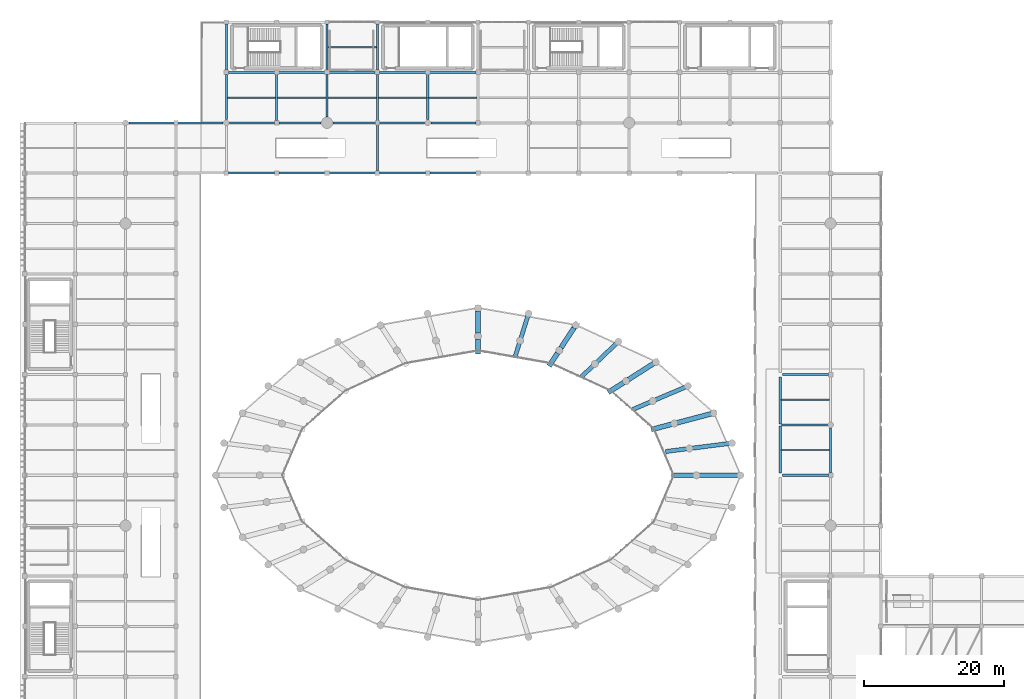
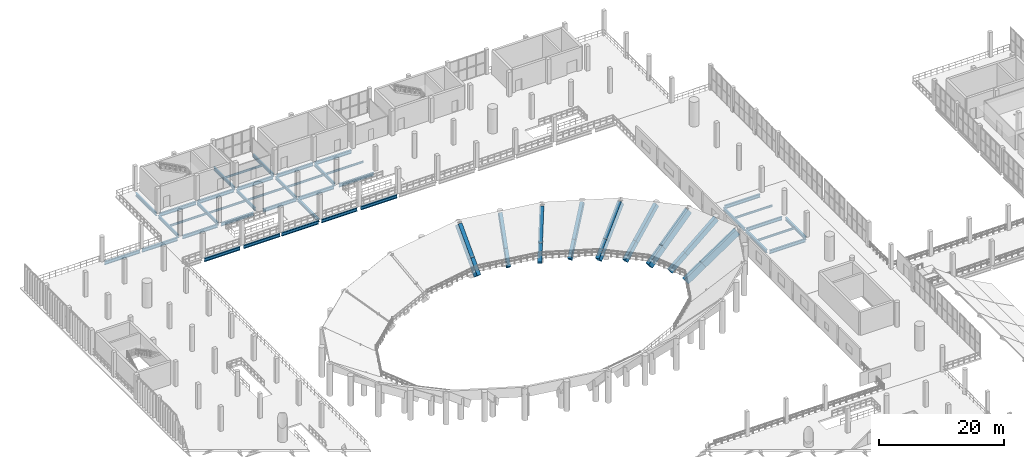
# One storey, part 46 of 105: 58 beams.
"""IFC4 building model written with IfcOpenShell, lengths in metres."""

import ifcopenshell
import ifcopenshell.guid

model = None  # the IFC model being written
_history = None  # IfcOwnerHistory: only IFC2X3 demands one
_inside = {}  # id of a spatial element -> (the spatial element, [elements in it])
_under = {}  # id of a project, library or spatial element -> (it, [spatial elements below it])
_declared = {}  # id of a project -> (the project, [libraries it declares])
_typed = {}  # id of a type object -> (the type object, [elements of that type])
_made_of = {}  # id of a material, layer set ... -> (it, [elements and type objects made of it])


def new_model(schema):
    """Start an empty IFC model of exactly this schema.

    Asked for "IFC4X3", IfcOpenShell would pick the latest addendum, in which some entities
    have other attributes; the version numbers below select the first issue.
    IFC2X3 requires an IfcOwnerHistory on every rooted entity: one is made here for all.
    """
    global model, _history
    if schema == "IFC4X3":
        model = ifcopenshell.file(schema_version=(4, 3, 0, 0))
    else:
        model = ifcopenshell.file(schema=schema)
    _inside.clear()
    _under.clear()
    _declared.clear()
    _typed.clear()
    _made_of.clear()
    _history = None
    if model.schema == "IFC2X3":
        org = make("IfcOrganization", Name="unknown")
        user = make(
            "IfcPersonAndOrganization",
            ThePerson=make("IfcPerson", FamilyName="unknown"),
            TheOrganization=org,
        )
        app = make(
            "IfcApplication",
            ApplicationDeveloper=org,
            Version="unknown",
            ApplicationFullName="unknown",
            ApplicationIdentifier="unknown",
        )
        _history = make(
            "IfcOwnerHistory",
            OwningUser=user,
            OwningApplication=app,
            ChangeAction="ADDED",
            CreationDate=0,
        )
    return model


def make(cls, **values):
    """One entity of the class cls with the attributes given. An attribute that is None is left unset."""
    return model.create_entity(
        cls, **{name: value for name, value in values.items() if value is not None}
    )


def rooted(cls, **values):
    """An entity with a GlobalId (a new one), such as an element, a storey or a relation."""
    return make(cls, GlobalId=ifcopenshell.guid.new(), OwnerHistory=_history, **values)


def si_unit(unit_type, name, prefix=None):
    """IfcSIUnit, for example si_unit("LENGTHUNIT", "METRE", prefix="MILLI")."""
    return make("IfcSIUnit", UnitType=unit_type, Prefix=prefix, Name=name)


def assignment(units):
    """IfcUnitAssignment: the units of a project."""
    return None if units is None else make("IfcUnitAssignment", Units=units)


def point(xyz):
    """IfcCartesianPoint."""
    return None if xyz is None else make("IfcCartesianPoint", Coordinates=xyz)


def direction(xyz):
    """IfcDirection."""
    return None if xyz is None else make("IfcDirection", DirectionRatios=xyz)


def frame(location, z_axis=None, x_axis=None):
    """IfcAxis2Placement3D, a coordinate frame: its origin and axes. An axis left out is left unset."""
    return make(
        "IfcAxis2Placement3D",
        Location=point(location),
        Axis=direction(z_axis),
        RefDirection=direction(x_axis),
    )


def frame_2d(location, x_axis=None):
    """IfcAxis2Placement2D, a coordinate frame in the plane: its origin and x axis."""
    return make(
        "IfcAxis2Placement2D", Location=point(location), RefDirection=direction(x_axis)
    )


def origin():
    """The frame at (0, 0, 0) with its axes left unset."""
    return frame((0.0, 0.0, 0.0))


def origin_2d():
    """The frame at (0, 0) in the plane with its x axis left unset."""
    return frame_2d((0.0, 0.0))


def place(relative_to, where):
    """IfcLocalPlacement: puts the frame where relative to a parent placement (None: the world)."""
    return make(
        "IfcLocalPlacement", PlacementRelTo=relative_to, RelativePlacement=where
    )


def context(
    kind, dimensions, precision=None, world=None, true_north=None, identifier=None
):
    """IfcGeometricRepresentationContext, for example the 3D "Model" context."""
    return make(
        "IfcGeometricRepresentationContext",
        ContextIdentifier=identifier,
        ContextType=kind,
        CoordinateSpaceDimension=dimensions,
        Precision=precision,
        WorldCoordinateSystem=world,
        TrueNorth=true_north,
    )


def subcontext(parent, identifier, kind, view, scale=None):
    """IfcGeometricRepresentationSubContext, for example "Body" below "Model"."""
    return make(
        "IfcGeometricRepresentationSubContext",
        ContextIdentifier=identifier,
        ContextType=kind,
        ParentContext=parent,
        TargetScale=scale,
        TargetView=view,
    )


def project(units=None, contexts=None):
    """IfcProject with its units and contexts."""
    return rooted(
        "IfcProject",
        Name="project",
        RepresentationContexts=contexts,
        UnitsInContext=assignment(units),
    )


def spatial(cls, under=None, at=None, **own):
    """A site, building, storey or space (cls), placed at a placement, below another one or the project."""
    s = rooted(cls, ObjectPlacement=at, **own)
    if under is not None:
        _under.setdefault(under.id(), (under, []))[1].append(s)
    return s


def profile(cls, at=None, kind="AREA", **sizes):
    """A parametric profile (cls). Its sizes go by their IFC names, for example OverallWidth=200.0."""
    return make(cls, ProfileType=kind, Position=at, **sizes)


def rectangle(**sizes):
    """IfcRectangleProfileDef."""
    return profile("IfcRectangleProfileDef", **sizes)


def i_section(**sizes):
    """IfcIShapeProfileDef."""
    return profile("IfcIShapeProfileDef", **sizes)


def extrude(swept, where, along, depth):
    """IfcExtrudedAreaSolid: the profile swept, set in the frame where, extruded along a direction by depth."""
    return make(
        "IfcExtrudedAreaSolid",
        SweptArea=swept,
        Position=where,
        ExtrudedDirection=direction(along),
        Depth=depth,
    )


def shape(context_of_items, identifier, shape_type, items):
    """IfcShapeRepresentation: the items that make up one representation, for example the "Body"."""
    return make(
        "IfcShapeRepresentation",
        ContextOfItems=context_of_items,
        RepresentationIdentifier=identifier,
        RepresentationType=shape_type,
        Items=items,
    )


def material(Name=None, Category=None):
    """IfcMaterial."""
    return make("IfcMaterial", Name=Name, Category=Category)


def material_profile(
    of_material, cross_section, Name=None, Category=None, Priority=None
):
    """IfcMaterialProfile: a cross section and its material."""
    return make(
        "IfcMaterialProfile",
        Name=Name,
        Material=of_material,
        Profile=cross_section,
        Priority=Priority,
        Category=Category,
    )


def profile_set(profiles, Name=None, composite=None):
    """IfcMaterialProfileSet."""
    return make(
        "IfcMaterialProfileSet",
        Name=Name,
        MaterialProfiles=profiles,
        CompositeProfile=composite,
    )


def made_of(thing, what):
    """Note that an element or type object is made of a material, layer set ...; save() writes the relation."""
    if what is not None:
        _made_of.setdefault(what.id(), (what, []))[1].append(thing)
    return thing


def type_object(cls, material=None, **own):
    """A type object (cls), such as IfcWallType, which elements share."""
    return made_of(rooted(cls, **own), material)


def element(
    cls,
    number,
    at=None,
    inside=None,
    cuts=None,
    type_object=None,
    material=None,
    context=None,
    identifier="Body",
    shape_type=None,
    held_by="IfcProductDefinitionShape",
    body=None,
    shapes=None,
    **own,
):
    """One element of the class cls, such as IfcWall. Its Tag is "e" and its number.

    at: its placement. inside: the storey or other place that contains it. cuts: it is an
    opening in that element (IfcRelVoidsElement). A single representation is given by context,
    identifier, shape_type and body (its items); several are given by shapes. held_by: the class
    of the entity that holds the representations. save() writes the other relations.
    """
    e = rooted(cls, Tag="e%d" % number, ObjectPlacement=at, **own)
    if body is not None:
        shapes = [shape(context, identifier, shape_type, body)]
    if shapes is not None:
        e.Representation = make(held_by, Representations=shapes)
    if inside is not None:
        _inside.setdefault(inside.id(), (inside, []))[1].append(e)
    if cuts is not None:
        rooted(
            "IfcRelVoidsElement", RelatingBuildingElement=cuts, RelatedOpeningElement=e
        )
    if type_object is not None:
        _typed.setdefault(type_object.id(), (type_object, []))[1].append(e)
    return made_of(e, material)


def aggregate(whole, parts):
    """IfcRelAggregates: a whole, such as a stair, and the parts it consists of."""
    return rooted("IfcRelAggregates", RelatingObject=whole, RelatedObjects=parts)


def save(model, path):
    """Write the relations noted so far, then the file.

    IfcRelAggregates (storeys below a building ...), IfcRelContainedInSpatialStructure (elements
    in a storey), IfcRelDefinesByType, IfcRelAssociatesMaterial and IfcRelDeclares: one each for
    every whole, place, type object, material and project.
    """
    for whole, parts in _under.values():
        aggregate(whole, parts)
    for where, things in _inside.values():
        rooted(
            "IfcRelContainedInSpatialStructure",
            RelatedElements=things,
            RelatingStructure=where,
        )
    for kind, things in _typed.values():
        rooted("IfcRelDefinesByType", RelatedObjects=things, RelatingType=kind)
    for what, things in _made_of.values():
        rooted("IfcRelAssociatesMaterial", RelatedObjects=things, RelatingMaterial=what)
    for by, libraries in _declared.values():
        rooted("IfcRelDeclares", RelatingContext=by, RelatedDefinitions=libraries)
    model.write(path)


model = new_model("IFC4")

# Units and contexts
model_context = context("Model", 3, precision=1e-05, world=origin(), true_north=direction((0.0, 1.0)))
body_context = subcontext(model_context, "Body", "Model", "MODEL_VIEW")
ifc_project = project(units=[si_unit("LENGTHUNIT", "METRE"), si_unit("AREAUNIT", "SQUARE_METRE"), si_unit("VOLUMEUNIT", "CUBIC_METRE"), si_unit("PLANEANGLEUNIT", "RADIAN"), si_unit("MASSUNIT", "GRAM", prefix="KILO")], contexts=[model_context])

# Site, building, storey
site_placement = place(None, origin())
site = spatial("IfcSite", under=ifc_project, at=site_placement, CompositionType="ELEMENT")
building_placement = place(site_placement, origin())
building = spatial("IfcBuilding", under=site, at=building_placement, Name="Qandorah Velis Arena", CompositionType="ELEMENT")
storey_placement = place(building_placement, frame((0.0, 0.0, 13.800048828125)))
storey = spatial("IfcBuildingStorey", under=building, at=storey_placement, Name="L03", CompositionType="ELEMENT", Elevation=13.800048828125)

# Beams
ifc_material_1 = material(Name="Steel S355", Category="steel")
ifc_material_profile_1 = material_profile(ifc_material_1, i_section(OverallWidth=0.300048828125, OverallDepth=0.60009765625, WebThickness=0.015380859375, FlangeThickness=0.030029296875, FilletRadius=0.027099609375, at=origin_2d()), Name="HEB 600")
ifc_profile_set_1 = profile_set([ifc_material_profile_1], Name="Steel S355")
beam_type_1 = type_object("IfcBeamType", Name="STR-BM-HEB600", PredefinedType="BEAM", material=ifc_profile_set_1)
beam_1_placement = place(storey_placement, frame((28.800048828125, 115.64990234375, -0.6201171875), z_axis=(0.0, 1.0, 0.0), x_axis=(-1.0, 0.0, 0.0)))
element("IfcBeam", 1, at=beam_1_placement, inside=storey, type_object=beam_type_1, Name="Primary floor girder L03 Y-238", PredefinedType="BEAM", context=body_context, shape_type="SweptSolid", body=[
    extrude(i_section(OverallWidth=0.300048828125, OverallDepth=0.60009765625, WebThickness=0.015380859375, FlangeThickness=0.030029296875, FilletRadius=0.027099609375, at=origin_2d()), origin(), (0.0, 0.0, 1.0), 6.425048828125),
])
beam_2_placement = place(storey_placement, frame((28.800048828125, 122.72509765625, -0.6201171875), z_axis=(0.0, 1.0, 0.0), x_axis=(-1.0, 0.0, 0.0)))
element("IfcBeam", 2, at=beam_2_placement, inside=storey, type_object=beam_type_1, Name="Primary floor girder L03 Y-239", PredefinedType="BEAM", context=body_context, shape_type="SweptSolid", body=[
    extrude(i_section(OverallWidth=0.300048828125, OverallDepth=0.60009765625, WebThickness=0.015380859375, FlangeThickness=0.030029296875, FilletRadius=0.027099609375, at=origin_2d()), origin(), (0.0, 0.0, 1.0), 6.574951171875),
])
beam_3_placement = place(storey_placement, frame((36.0, 115.5, -0.6201171875), z_axis=(0.0, 1.0, 0.0), x_axis=(-1.0, 0.0, 0.0)))
element("IfcBeam", 3, at=beam_3_placement, inside=storey, type_object=beam_type_1, Name="Primary floor girder L03 Y-241", PredefinedType="BEAM", context=body_context, shape_type="SweptSolid", body=[
    extrude(i_section(OverallWidth=0.300048828125, OverallDepth=0.60009765625, WebThickness=0.015380859375, FlangeThickness=0.030029296875, FilletRadius=0.027099609375, at=origin_2d()), origin(), (0.0, 0.0, 1.0), 6.75),
])
beam_4_placement = place(storey_placement, frame((43.199951171875, 116.050048828125, -0.6201171875), z_axis=(0.0, 1.0, 0.0), x_axis=(-1.0, 0.0, 0.0)))
element("IfcBeam", 4, at=beam_4_placement, inside=storey, type_object=beam_type_1, Name="Primary floor girder L03 Y-244", PredefinedType="BEAM", context=body_context, shape_type="SweptSolid", body=[
    extrude(i_section(OverallWidth=0.300048828125, OverallDepth=0.60009765625, WebThickness=0.015380859375, FlangeThickness=0.030029296875, FilletRadius=0.027099609375, at=origin_2d()), origin(), (0.0, 0.0, 1.0), 6.050048828125),
])
beam_5_placement = place(storey_placement, frame((43.199951171875, 122.699951171875, -0.6201171875), z_axis=(0.0, 1.0, 0.0), x_axis=(-1.0, 0.0, 0.0)))
element("IfcBeam", 5, at=beam_5_placement, inside=storey, type_object=beam_type_1, Name="Primary floor girder L03 Y-245", PredefinedType="BEAM", context=body_context, shape_type="SweptSolid", body=[
    extrude(i_section(OverallWidth=0.300048828125, OverallDepth=0.60009765625, WebThickness=0.015380859375, FlangeThickness=0.030029296875, FilletRadius=0.027099609375, at=origin_2d()), origin(), (0.0, 0.0, 1.0), 6.60009765625),
])
beam_6_placement = place(storey_placement, frame((50.39990234375, 108.300048828125, -0.6201171875), z_axis=(0.0, 1.0, 0.0), x_axis=(-1.0, 0.0, 0.0)))
element("IfcBeam", 6, at=beam_6_placement, inside=storey, type_object=beam_type_1, Name="Primary floor girder L03 Y-249", PredefinedType="BEAM", context=body_context, shape_type="SweptSolid", body=[
    extrude(i_section(OverallWidth=0.300048828125, OverallDepth=0.60009765625, WebThickness=0.015380859375, FlangeThickness=0.030029296875, FilletRadius=0.027099609375, at=origin_2d()), origin(), (0.0, 0.0, 1.0), 6.75),
])
beam_7_placement = place(storey_placement, frame((50.39990234375, 115.35009765625, -0.6201171875), z_axis=(0.0, 1.0, 0.0), x_axis=(-1.0, 0.0, 0.0)))
element("IfcBeam", 7, at=beam_7_placement, inside=storey, type_object=beam_type_1, Name="Primary floor girder L03 Y-250", PredefinedType="BEAM", context=body_context, shape_type="SweptSolid", body=[
    extrude(i_section(OverallWidth=0.300048828125, OverallDepth=0.60009765625, WebThickness=0.015380859375, FlangeThickness=0.030029296875, FilletRadius=0.027099609375, at=origin_2d()), origin(), (0.0, 0.0, 1.0), 6.724853515625),
])
beam_8_placement = place(storey_placement, frame((50.39990234375, 122.72509765625, -0.6201171875), z_axis=(0.0, 1.0, 0.0), x_axis=(-1.0, 0.0, 0.0)))
element("IfcBeam", 8, at=beam_8_placement, inside=storey, type_object=beam_type_1, Name="Primary floor girder L03 Y-251", PredefinedType="BEAM", context=body_context, shape_type="SweptSolid", body=[
    extrude(i_section(OverallWidth=0.300048828125, OverallDepth=0.60009765625, WebThickness=0.015380859375, FlangeThickness=0.030029296875, FilletRadius=0.027099609375, at=origin_2d()), origin(), (0.0, 0.0, 1.0), 6.574951171875),
])
beam_9_placement = place(storey_placement, frame((57.60009765625, 115.64990234375, -0.6201171875), z_axis=(0.0, 1.0, 0.0), x_axis=(-1.0, 0.0, 0.0)))
element("IfcBeam", 9, at=beam_9_placement, inside=storey, type_object=beam_type_1, Name="Primary floor girder L03 Y-253", PredefinedType="BEAM", context=body_context, shape_type="SweptSolid", body=[
    extrude(i_section(OverallWidth=0.300048828125, OverallDepth=0.60009765625, WebThickness=0.015380859375, FlangeThickness=0.030029296875, FilletRadius=0.027099609375, at=origin_2d()), origin(), (0.0, 0.0, 1.0), 6.60009765625),
])
beam_10_placement = place(storey_placement, frame((108.0, 65.10009765625, -0.6201171875), z_axis=(0.0, 1.0, 0.0), x_axis=(-1.0, 0.0, 0.0)))
element("IfcBeam", 10, at=beam_10_placement, inside=storey, type_object=beam_type_1, Name="Primary floor girder L03 Y-290", PredefinedType="BEAM", context=body_context, shape_type="SweptSolid", body=[
    extrude(i_section(OverallWidth=0.300048828125, OverallDepth=0.60009765625, WebThickness=0.015380859375, FlangeThickness=0.030029296875, FilletRadius=0.027099609375, at=origin_2d()), origin(), (0.0, 0.0, 1.0), 6.75),
])
beam_11_placement = place(storey_placement, frame((108.0, 72.14990234375, -0.6201171875), z_axis=(0.0, 1.0, 0.0), x_axis=(-1.0, 0.0, 0.0)))
element("IfcBeam", 11, at=beam_11_placement, inside=storey, type_object=beam_type_1, Name="Primary floor girder L03 Y-291", PredefinedType="BEAM", context=body_context, shape_type="SweptSolid", body=[
    extrude(i_section(OverallWidth=0.300048828125, OverallDepth=0.60009765625, WebThickness=0.015380859375, FlangeThickness=0.030029296875, FilletRadius=0.027099609375, at=origin_2d()), origin(), (0.0, 0.0, 1.0), 6.72509765625),
])
beam_12_placement = place(storey_placement, frame((115.199951171875, 65.10009765625, -0.6201171875), z_axis=(0.0, 1.0, 0.0), x_axis=(-1.0, 0.0, 0.0)))
element("IfcBeam", 12, at=beam_12_placement, inside=storey, type_object=beam_type_1, Name="Primary floor girder L03 Y-307", PredefinedType="BEAM", context=body_context, shape_type="SweptSolid", body=[
    extrude(i_section(OverallWidth=0.300048828125, OverallDepth=0.60009765625, WebThickness=0.015380859375, FlangeThickness=0.030029296875, FilletRadius=0.027099609375, at=origin_2d()), origin(), (0.0, 0.0, 1.0), 6.449951171875),
])
ifc_material_profile_2 = material_profile(ifc_material_1, i_section(OverallWidth=0.300048828125, OverallDepth=0.64990234375, WebThickness=0.01611328125, FlangeThickness=0.031005859375, FilletRadius=0.027099609375, at=origin_2d()), Name="HEB 650")
ifc_profile_set_2 = profile_set([ifc_material_profile_2], Name="Steel S355")
beam_type_2 = type_object("IfcBeamType", Name="STR-BM-HEB650", PredefinedType="BEAM", material=ifc_profile_set_2)
beam_13_placement = place(storey_placement, frame((108.300048828125, 64.800048828125, -0.64501953125), z_axis=(1.0, 0.0, 0.0), x_axis=(0.0, 1.0, 0.0)))
element("IfcBeam", 13, at=beam_13_placement, inside=storey, type_object=beam_type_2, Name="Primary floor girder L03 X-092", PredefinedType="BEAM", context=body_context, shape_type="SweptSolid", body=[
    extrude(i_section(OverallWidth=0.300048828125, OverallDepth=0.64990234375, WebThickness=0.01611328125, FlangeThickness=0.031005859375, FilletRadius=0.027099609375, at=origin_2d()), origin(), (0.0, 0.0, 1.0), 6.599853515625),
])
beam_14_placement = place(storey_placement, frame((108.14990234375, 72.0, -0.64501953125), z_axis=(1.0, 0.0, 0.0), x_axis=(0.0, 1.0, 0.0)))
element("IfcBeam", 14, at=beam_14_placement, inside=storey, type_object=beam_type_2, Name="Primary floor girder L03 X-097", PredefinedType="BEAM", context=body_context, shape_type="SweptSolid", body=[
    extrude(i_section(OverallWidth=0.300048828125, OverallDepth=0.64990234375, WebThickness=0.01611328125, FlangeThickness=0.031005859375, FilletRadius=0.027099609375, at=origin_2d()), origin(), (0.0, 0.0, 1.0), 6.60009765625),
])
beam_15_placement = place(storey_placement, frame((108.324951171875, 79.199951171875, -0.64501953125), z_axis=(1.0, 0.0, 0.0), x_axis=(0.0, 1.0, 0.0)))
element("IfcBeam", 15, at=beam_15_placement, inside=storey, type_object=beam_type_2, Name="Primary floor girder L03 X-102", PredefinedType="BEAM", context=body_context, shape_type="SweptSolid", body=[
    extrude(i_section(OverallWidth=0.300048828125, OverallDepth=0.64990234375, WebThickness=0.01611328125, FlangeThickness=0.031005859375, FilletRadius=0.027099609375, at=origin_2d()), origin(), (0.0, 0.0, 1.0), 6.550048828125),
])
beam_16_placement = place(storey_placement, frame((29.10009765625, 108.0, -0.64501953125), z_axis=(1.0, 0.0, 0.0), x_axis=(0.0, 1.0, 0.0)))
element("IfcBeam", 16, at=beam_16_placement, inside=storey, type_object=beam_type_2, Name="Primary floor girder L03 X-125", PredefinedType="BEAM", context=body_context, shape_type="SweptSolid", body=[
    extrude(i_section(OverallWidth=0.300048828125, OverallDepth=0.64990234375, WebThickness=0.01611328125, FlangeThickness=0.031005859375, FilletRadius=0.027099609375, at=origin_2d()), origin(), (0.0, 0.0, 1.0), 6.574951171875),
])
beam_17_placement = place(storey_placement, frame((36.324951171875, 108.0, -0.64501953125), z_axis=(1.0, 0.0, 0.0), x_axis=(0.0, 1.0, 0.0)))
element("IfcBeam", 17, at=beam_17_placement, inside=storey, type_object=beam_type_2, Name="Primary floor girder L03 X-126", PredefinedType="BEAM", context=body_context, shape_type="SweptSolid", body=[
    extrude(i_section(OverallWidth=0.300048828125, OverallDepth=0.64990234375, WebThickness=0.01611328125, FlangeThickness=0.031005859375, FilletRadius=0.027099609375, at=origin_2d()), origin(), (0.0, 0.0, 1.0), 6.72509765625),
])
beam_18_placement = place(storey_placement, frame((43.35009765625, 108.0, -0.64501953125), z_axis=(1.0, 0.0, 0.0), x_axis=(0.0, 1.0, 0.0)))
element("IfcBeam", 18, at=beam_18_placement, inside=storey, type_object=beam_type_2, Name="Primary floor girder L03 X-127", PredefinedType="BEAM", context=body_context, shape_type="SweptSolid", body=[
    extrude(i_section(OverallWidth=0.300048828125, OverallDepth=0.64990234375, WebThickness=0.01611328125, FlangeThickness=0.031005859375, FilletRadius=0.027099609375, at=origin_2d()), origin(), (0.0, 0.0, 1.0), 6.75),
])
beam_19_placement = place(storey_placement, frame((50.699951171875, 108.0, -0.64501953125), z_axis=(1.0, 0.0, 0.0), x_axis=(0.0, 1.0, 0.0)))
element("IfcBeam", 19, at=beam_19_placement, inside=storey, type_object=beam_type_2, Name="Primary floor girder L03 X-128", PredefinedType="BEAM", context=body_context, shape_type="SweptSolid", body=[
    extrude(i_section(OverallWidth=0.300048828125, OverallDepth=0.64990234375, WebThickness=0.01611328125, FlangeThickness=0.031005859375, FilletRadius=0.027099609375, at=origin_2d()), origin(), (0.0, 0.0, 1.0), 6.574951171875),
])
beam_20_placement = place(storey_placement, frame((57.925048828125, 108.0, -0.64501953125), z_axis=(1.0, 0.0, 0.0), x_axis=(0.0, 1.0, 0.0)))
element("IfcBeam", 20, at=beam_20_placement, inside=storey, type_object=beam_type_2, Name="Primary floor girder L03 X-129", PredefinedType="BEAM", context=body_context, shape_type="SweptSolid", body=[
    extrude(i_section(OverallWidth=0.300048828125, OverallDepth=0.64990234375, WebThickness=0.01611328125, FlangeThickness=0.031005859375, FilletRadius=0.027099609375, at=origin_2d()), origin(), (0.0, 0.0, 1.0), 6.724853515625),
])
beam_21_placement = place(storey_placement, frame((14.85009765625, 115.199951171875, -0.64501953125), z_axis=(1.0, 0.0, 0.0), x_axis=(0.0, 1.0, 0.0)))
element("IfcBeam", 21, at=beam_21_placement, inside=storey, type_object=beam_type_2, Name="Primary floor girder L03 X-140", PredefinedType="BEAM", context=body_context, shape_type="SweptSolid", body=[
    extrude(i_section(OverallWidth=0.300048828125, OverallDepth=0.64990234375, WebThickness=0.01611328125, FlangeThickness=0.031005859375, FilletRadius=0.027099609375, at=origin_2d()), origin(), (0.0, 0.0, 1.0), 6.599853515625),
])
beam_22_placement = place(storey_placement, frame((21.75, 115.199951171875, -0.64501953125), z_axis=(1.0, 0.0, 0.0), x_axis=(0.0, 1.0, 0.0)))
element("IfcBeam", 22, at=beam_22_placement, inside=storey, type_object=beam_type_2, Name="Primary floor girder L03 X-141", PredefinedType="BEAM", context=body_context, shape_type="SweptSolid", body=[
    extrude(i_section(OverallWidth=0.300048828125, OverallDepth=0.64990234375, WebThickness=0.01611328125, FlangeThickness=0.031005859375, FilletRadius=0.027099609375, at=origin_2d()), origin(), (0.0, 0.0, 1.0), 6.60009765625),
])
beam_23_placement = place(storey_placement, frame((29.25, 115.199951171875, -0.64501953125), z_axis=(1.0, 0.0, 0.0), x_axis=(0.0, 1.0, 0.0)))
element("IfcBeam", 23, at=beam_23_placement, inside=storey, type_object=beam_type_2, Name="Primary floor girder L03 X-142", PredefinedType="BEAM", context=body_context, shape_type="SweptSolid", body=[
    extrude(i_section(OverallWidth=0.300048828125, OverallDepth=0.64990234375, WebThickness=0.01611328125, FlangeThickness=0.031005859375, FilletRadius=0.027099609375, at=origin_2d()), origin(), (0.0, 0.0, 1.0), 6.449951171875),
])
beam_24_placement = place(storey_placement, frame((36.300048828125, 115.199951171875, -0.64501953125), z_axis=(1.0, 0.0, 0.0), x_axis=(0.0, 1.0, 0.0)))
element("IfcBeam", 24, at=beam_24_placement, inside=storey, type_object=beam_type_2, Name="Primary floor girder L03 X-143", PredefinedType="BEAM", context=body_context, shape_type="SweptSolid", body=[
    extrude(i_section(OverallWidth=0.300048828125, OverallDepth=0.64990234375, WebThickness=0.01611328125, FlangeThickness=0.031005859375, FilletRadius=0.027099609375, at=origin_2d()), origin(), (0.0, 0.0, 1.0), 6.050048828125),
])
beam_25_placement = place(storey_placement, frame((44.050048828125, 115.199951171875, -0.64501953125), z_axis=(1.0, 0.0, 0.0), x_axis=(0.0, 1.0, 0.0)))
element("IfcBeam", 25, at=beam_25_placement, inside=storey, type_object=beam_type_2, Name="Primary floor girder L03 X-144", PredefinedType="BEAM", context=body_context, shape_type="SweptSolid", body=[
    extrude(i_section(OverallWidth=0.300048828125, OverallDepth=0.64990234375, WebThickness=0.01611328125, FlangeThickness=0.031005859375, FilletRadius=0.027099609375, at=origin_2d()), origin(), (0.0, 0.0, 1.0), 6.199951171875),
])
beam_26_placement = place(storey_placement, frame((50.550048828125, 115.199951171875, -0.64501953125), z_axis=(1.0, 0.0, 0.0), x_axis=(0.0, 1.0, 0.0)))
element("IfcBeam", 26, at=beam_26_placement, inside=storey, type_object=beam_type_2, Name="Primary floor girder L03 X-145", PredefinedType="BEAM", context=body_context, shape_type="SweptSolid", body=[
    extrude(i_section(OverallWidth=0.300048828125, OverallDepth=0.64990234375, WebThickness=0.01611328125, FlangeThickness=0.031005859375, FilletRadius=0.027099609375, at=origin_2d()), origin(), (0.0, 0.0, 1.0), 6.599853515625),
])
beam_27_placement = place(storey_placement, frame((58.050048828125, 115.199951171875, -0.64501953125), z_axis=(1.0, 0.0, 0.0), x_axis=(0.0, 1.0, 0.0)))
element("IfcBeam", 27, at=beam_27_placement, inside=storey, type_object=beam_type_2, Name="Primary floor girder L03 X-146", PredefinedType="BEAM", context=body_context, shape_type="SweptSolid", body=[
    extrude(i_section(OverallWidth=0.300048828125, OverallDepth=0.64990234375, WebThickness=0.01611328125, FlangeThickness=0.031005859375, FilletRadius=0.027099609375, at=origin_2d()), origin(), (0.0, 0.0, 1.0), 6.425048828125),
])
beam_28_placement = place(storey_placement, frame((29.125, 122.39990234375, -0.64501953125), z_axis=(1.0, 0.0, 0.0), x_axis=(0.0, 1.0, 0.0)))
element("IfcBeam", 28, at=beam_28_placement, inside=storey, type_object=beam_type_2, Name="Primary floor girder L03 X-154", PredefinedType="BEAM", context=body_context, shape_type="SweptSolid", body=[
    extrude(i_section(OverallWidth=0.300048828125, OverallDepth=0.64990234375, WebThickness=0.01611328125, FlangeThickness=0.031005859375, FilletRadius=0.027099609375, at=origin_2d()), origin(), (0.0, 0.0, 1.0), 6.72509765625),
])
beam_29_placement = place(storey_placement, frame((36.14990234375, 122.39990234375, -0.64501953125), z_axis=(1.0, 0.0, 0.0), x_axis=(0.0, 1.0, 0.0)))
element("IfcBeam", 29, at=beam_29_placement, inside=storey, type_object=beam_type_2, Name="Primary floor girder L03 X-155", PredefinedType="BEAM", context=body_context, shape_type="SweptSolid", body=[
    extrude(i_section(OverallWidth=0.300048828125, OverallDepth=0.64990234375, WebThickness=0.01611328125, FlangeThickness=0.031005859375, FilletRadius=0.027099609375, at=origin_2d()), origin(), (0.0, 0.0, 1.0), 6.75),
])
beam_30_placement = place(storey_placement, frame((43.5, 122.39990234375, -0.64501953125), z_axis=(1.0, 0.0, 0.0), x_axis=(0.0, 1.0, 0.0)))
element("IfcBeam", 30, at=beam_30_placement, inside=storey, type_object=beam_type_2, Name="Primary floor girder L03 X-156", PredefinedType="BEAM", context=body_context, shape_type="SweptSolid", body=[
    extrude(i_section(OverallWidth=0.300048828125, OverallDepth=0.64990234375, WebThickness=0.01611328125, FlangeThickness=0.031005859375, FilletRadius=0.027099609375, at=origin_2d()), origin(), (0.0, 0.0, 1.0), 6.574951171875),
])
beam_31_placement = place(storey_placement, frame((50.72509765625, 122.39990234375, -0.64501953125), z_axis=(1.0, 0.0, 0.0), x_axis=(0.0, 1.0, 0.0)))
element("IfcBeam", 31, at=beam_31_placement, inside=storey, type_object=beam_type_2, Name="Primary floor girder L03 X-157", PredefinedType="BEAM", context=body_context, shape_type="SweptSolid", body=[
    extrude(i_section(OverallWidth=0.300048828125, OverallDepth=0.64990234375, WebThickness=0.01611328125, FlangeThickness=0.031005859375, FilletRadius=0.027099609375, at=origin_2d()), origin(), (0.0, 0.0, 1.0), 6.724853515625),
])
beam_32_placement = place(storey_placement, frame((57.75, 122.39990234375, -0.64501953125), z_axis=(1.0, 0.0, 0.0), x_axis=(0.0, 1.0, 0.0)))
element("IfcBeam", 32, at=beam_32_placement, inside=storey, type_object=beam_type_2, Name="Primary floor girder L03 X-158", PredefinedType="BEAM", context=body_context, shape_type="SweptSolid", body=[
    extrude(i_section(OverallWidth=0.300048828125, OverallDepth=0.64990234375, WebThickness=0.01611328125, FlangeThickness=0.031005859375, FilletRadius=0.027099609375, at=origin_2d()), origin(), (0.0, 0.0, 1.0), 6.75),
])
ifc_material_profile_3 = material_profile(ifc_material_1, i_section(OverallWidth=0.179931640625, OverallDepth=0.39990234375, WebThickness=0.008544921875, FlangeThickness=0.013427734375, FilletRadius=0.02099609375, at=origin_2d()), Name="IPE 400")
ifc_profile_set_3 = profile_set([ifc_material_profile_3], Name="Steel S355")
beam_type_3 = type_object("IfcBeamType", Name="STR-JST-IPE400", PredefinedType="JOIST", material=ifc_profile_set_3)
for number, where, z_axis, x_axis, name in (
    (33, (28.93505859375, 118.800048828125, -0.52001953125), (1.0, 0.0, 0.0), (0.0, 1.0, 0.0), "Secondary floor joist L03-040"),
    (34, (36.135009765625, 118.800048828125, -0.52001953125), (1.0, 0.0, 0.0), (0.0, 1.0, 0.0), "Secondary floor joist L03-042"),
    (35, (43.3349609375, 118.800048828125, -0.52001953125), (1.0, 0.0, 0.0), (0.0, 1.0, 0.0), "Secondary floor joist L03-045"),
    (36, (43.3349609375, 126.0, -0.52001953125), (1.0, 0.0, 0.0), (0.0, 1.0, 0.0), "Secondary floor joist L03-046"),
):
    element("IfcBeam", number, at=place(storey_placement, frame(where, z_axis=z_axis, x_axis=x_axis)), inside=storey, type_object=beam_type_3, Name=name, PredefinedType="JOIST", context=body_context, shape_type="SweptSolid", body=[
        extrude(i_section(OverallWidth=0.179931640625, OverallDepth=0.39990234375, WebThickness=0.008544921875, FlangeThickness=0.013427734375, FilletRadius=0.02099609375, at=origin_2d()), origin(), (0.0, 0.0, 1.0), 6.929931640625),
    ])
beam_33_placement = place(storey_placement, frame((50.534912109375, 118.800048828125, -0.52001953125), z_axis=(1.0, 0.0, 0.0), x_axis=(0.0, 1.0, 0.0)))
element("IfcBeam", 37, at=beam_33_placement, inside=storey, type_object=beam_type_3, Name="Secondary floor joist L03-048", PredefinedType="JOIST", context=body_context, shape_type="SweptSolid", body=[
    extrude(i_section(OverallWidth=0.179931640625, OverallDepth=0.39990234375, WebThickness=0.008544921875, FlangeThickness=0.013427734375, FilletRadius=0.02099609375, at=origin_2d()), origin(), (0.0, 0.0, 1.0), 6.93017578125),
])
for number, where, z_axis, x_axis, name in (
    (38, (57.735107421875, 118.800048828125, -0.52001953125), (1.0, 0.0, 0.0), (0.0, 1.0, 0.0), "Secondary floor joist L03-050"),
    (39, (108.135009765625, 68.39990234375, -0.52001953125), (1.0, 0.0, 0.0), (0.0, 1.0, 0.0), "Secondary floor joist L03-080"),
    (40, (108.135009765625, 75.60009765625, -0.52001953125), (1.0, 0.0, 0.0), (0.0, 1.0, 0.0), "Secondary floor joist L03-081"),
):
    element("IfcBeam", number, at=place(storey_placement, frame(where, z_axis=z_axis, x_axis=x_axis)), inside=storey, type_object=beam_type_3, Name=name, PredefinedType="JOIST", context=body_context, shape_type="SweptSolid", body=[
        extrude(i_section(OverallWidth=0.179931640625, OverallDepth=0.39990234375, WebThickness=0.008544921875, FlangeThickness=0.013427734375, FilletRadius=0.02099609375, at=origin_2d()), origin(), (0.0, 0.0, 1.0), 6.929931640625),
    ])
ifc_material_2 = material(Name="Concrete C40/50", Category="concrete")
ifc_material_profile_4 = material_profile(ifc_material_2, rectangle(XDim=0.60009765625, YDim=1.050048828125, at=origin_2d()), Name="RC RAKER 600x1050")
ifc_profile_set_4 = profile_set([ifc_material_profile_4], Name="Concrete C40/50")
beam_type_4 = type_object("IfcBeamType", Name="STR-RAK-600X1050", PredefinedType="USERDEFINED", material=ifc_profile_set_4)
beam_34_placement = place(storey_placement, frame((95.02587890625, 68.62841796875, 1.40966796875), z_axis=(-0.816967827548, -0.103520553291, -0.567315665038), x_axis=(0.125707954968, -0.992067291094, 0.0)))
element("IfcBeam", 41, at=beam_34_placement, inside=storey, type_object=beam_type_4, Name="Upper bowl cantilever raker RB-UC01.2", ObjectType="RAKER BEAM", PredefinedType="USERDEFINED", context=body_context, shape_type="SweptSolid", body=[
    extrude(rectangle(XDim=0.60009765625, YDim=1.050048828125, at=origin_2d()), origin(), (0.0, 0.0, 1.0), 3.81591796875),
])
beam_35_placement = place(storey_placement, frame((95.02587890625, 68.62841796875, 1.40966796875), z_axis=(0.816992409893, 0.103464776853, 0.567290438954), x_axis=(-0.125637572792, 0.992076206903, 0.0)))
element("IfcBeam", 42, at=beam_35_placement, inside=storey, type_object=beam_type_4, Name="Upper bowl back-span raker RB-UB01.2", ObjectType="RAKER BEAM", PredefinedType="USERDEFINED", context=body_context, shape_type="SweptSolid", body=[
    extrude(rectangle(XDim=0.60009765625, YDim=1.050048828125, at=origin_2d()), origin(), (0.0, 0.0, 1.0), 7.4658203125),
])
beam_36_placement = place(storey_placement, frame((89.772216796875, 75.4248046875, 1.40966796875), z_axis=(-0.727868305697, -0.309666599295, -0.611812329757), x_axis=(0.391486021322, -0.920184055018, 0.0)))
element("IfcBeam", 43, at=beam_36_placement, inside=storey, type_object=beam_type_4, Name="Upper bowl cantilever raker RB-UC02.2", ObjectType="RAKER BEAM", PredefinedType="USERDEFINED", context=body_context, shape_type="SweptSolid", body=[
    extrude(rectangle(XDim=0.60009765625, YDim=1.050048828125, at=origin_2d()), origin(), (0.0, 0.0, 1.0), 3.538330078125),
])
beam_37_placement = place(storey_placement, frame((89.772216796875, 75.4248046875, 1.40966796875), z_axis=(0.727894225568, 0.309692703306, 0.611768277949), x_axis=(-0.391502159472, 0.920177188985, 0.0)))
element("IfcBeam", 44, at=beam_37_placement, inside=storey, type_object=beam_type_4, Name="Upper bowl back-span raker RB-UB02.2", ObjectType="RAKER BEAM", PredefinedType="USERDEFINED", context=body_context, shape_type="SweptSolid", body=[
    extrude(rectangle(XDim=0.60009765625, YDim=1.050048828125, at=origin_2d()), origin(), (0.0, 0.0, 1.0), 6.923095703125),
])
beam_38_placement = place(storey_placement, frame((81.486083984375, 80.701171875, 1.40966796875), z_axis=(-0.53529391802, -0.510085750533, -0.67325548526), x_axis=(0.689855148788, -0.723947424673, 0.0)))
element("IfcBeam", 45, at=beam_38_placement, inside=storey, type_object=beam_type_4, Name="Upper bowl cantilever raker RB-UC03.2", ObjectType="RAKER BEAM", PredefinedType="USERDEFINED", context=body_context, shape_type="SweptSolid", body=[
    extrude(rectangle(XDim=0.60009765625, YDim=1.050048828125, at=origin_2d()), origin(), (0.0, 0.0, 1.0), 3.21533203125),
])
beam_39_placement = place(storey_placement, frame((81.486083984375, 80.701171875, 1.40966796875), z_axis=(0.535241658838, 0.510092170409, 0.673292168626), x_axis=(-0.689894997367, 0.723909450558, 0.0)))
element("IfcBeam", 46, at=beam_39_placement, inside=storey, type_object=beam_type_4, Name="Upper bowl back-span raker RB-UB03.2", ObjectType="RAKER BEAM", PredefinedType="USERDEFINED", context=body_context, shape_type="SweptSolid", body=[
    extrude(rectangle(XDim=0.60009765625, YDim=1.050048828125, at=origin_2d()), origin(), (0.0, 0.0, 1.0), 6.29052734375),
])
beam_40_placement = place(storey_placement, frame((70.812255859375, 84.04638671875, 1.40966796875), z_axis=(-0.206573405548, -0.661278882091, -0.721136372832), x_axis=(0.954511305053, -0.29817472818, 0.0)))
element("IfcBeam", 47, at=beam_40_placement, inside=storey, type_object=beam_type_4, Name="Upper bowl cantilever raker RB-UC04.2", ObjectType="RAKER BEAM", PredefinedType="USERDEFINED", context=body_context, shape_type="SweptSolid", body=[
    extrude(rectangle(XDim=0.60009765625, YDim=1.050048828125, at=origin_2d()), origin(), (0.0, 0.0, 1.0), 3.001953125),
])
beam_41_placement = place(storey_placement, frame((70.812255859375, 84.04638671875, 1.40966796875), z_axis=(0.206590705995, 0.661298096916, 0.721113796298), x_axis=(-0.954506663673, 0.298189585672, 0.0)))
element("IfcBeam", 48, at=beam_41_placement, inside=storey, type_object=beam_type_4, Name="Upper bowl back-span raker RB-UB04.2", ObjectType="RAKER BEAM", PredefinedType="USERDEFINED", context=body_context, shape_type="SweptSolid", body=[
    extrude(rectangle(XDim=0.60009765625, YDim=1.050048828125, at=origin_2d()), origin(), (0.0, 0.0, 1.0), 5.873291015625),
])
ifc_material_profile_5 = material_profile(ifc_material_2, rectangle(XDim=0.699951171875, YDim=1.35009765625, at=origin_2d()), Name="RC RAKER 700x1350")
ifc_profile_set_5 = profile_set([ifc_material_profile_5], Name="Concrete C40/50")
beam_type_5 = type_object("IfcBeamType", Name="STR-RAK-700X1350", PredefinedType="USERDEFINED", material=ifc_profile_set_5)
beam_42_placement = place(storey_placement, frame((96.02001953125, 64.800048828125, 1.259765625), z_axis=(-0.829885266629, 0.0, -0.55793408592), x_axis=(0.0, -1.0, 0.0)))
element("IfcBeam", 49, at=beam_42_placement, inside=storey, type_object=beam_type_5, Name="Upper bowl cantilever raker RB-UC01.1", ObjectType="RAKER BEAM", PredefinedType="USERDEFINED", context=body_context, shape_type="SweptSolid", body=[
    extrude(rectangle(XDim=0.699951171875, YDim=1.35009765625, at=origin_2d()), origin(), (0.0, 0.0, 1.0), 3.880126953125),
])
beam_43_placement = place(storey_placement, frame((96.02001953125, 64.800048828125, 1.259765625), z_axis=(0.829911631515, 0.0, 0.557894868122), x_axis=(0.0, 1.0, 0.0)))
element("IfcBeam", 50, at=beam_43_placement, inside=storey, type_object=beam_type_5, Name="Upper bowl back-span raker RB-UB01.1", ObjectType="RAKER BEAM", PredefinedType="USERDEFINED", context=body_context, shape_type="SweptSolid", body=[
    extrude(rectangle(XDim=0.699951171875, YDim=1.35009765625, at=origin_2d()), origin(), (0.0, 0.0, 1.0), 7.59130859375),
])
beam_44_placement = place(storey_placement, frame((92.840087890625, 72.195556640625, 1.259765625), z_axis=(-0.783300510967, -0.206570217479, -0.586318219715), x_axis=(0.254999514565, -0.96694118103, 0.0)))
element("IfcBeam", 51, at=beam_44_placement, inside=storey, type_object=beam_type_5, Name="Upper bowl cantilever raker RB-UC02.1", ObjectType="RAKER BEAM", PredefinedType="USERDEFINED", context=body_context, shape_type="SweptSolid", body=[
    extrude(rectangle(XDim=0.699951171875, YDim=1.35009765625, at=origin_2d()), origin(), (0.0, 0.0, 1.0), 3.692138671875),
])
beam_45_placement = place(storey_placement, frame((92.840087890625, 72.195556640625, 1.259765625), z_axis=(0.783306445378, 0.206608228365, 0.586296897997), x_axis=(-0.255041578452, 0.96693008706, 0.0)))
element("IfcBeam", 52, at=beam_45_placement, inside=storey, type_object=beam_type_5, Name="Upper bowl back-span raker RB-UB02.1", ObjectType="RAKER BEAM", PredefinedType="USERDEFINED", context=body_context, shape_type="SweptSolid", body=[
    extrude(rectangle(XDim=0.699951171875, YDim=1.35009765625, at=origin_2d()), origin(), (0.0, 0.0, 1.0), 7.223388671875),
])
beam_46_placement = place(storey_placement, frame((85.959716796875, 78.2734375, 1.259765625), z_axis=(-0.646924820526, -0.411936019514, -0.641714104889), x_axis=(0.537113598348, -0.843509918418, 0.0)))
element("IfcBeam", 53, at=beam_46_placement, inside=storey, type_object=beam_type_5, Name="Upper bowl cantilever raker RB-UC03.1", ObjectType="RAKER BEAM", PredefinedType="USERDEFINED", context=body_context, shape_type="SweptSolid", body=[
    extrude(rectangle(XDim=0.699951171875, YDim=1.35009765625, at=origin_2d()), origin(), (0.0, 0.0, 1.0), 3.37353515625),
])
beam_47_placement = place(storey_placement, frame((85.959716796875, 78.2734375, 1.259765625), z_axis=(0.646956832966, 0.41195873349, 0.641667248797), x_axis=(-0.537115759569, 0.843508542234, 0.0)))
element("IfcBeam", 54, at=beam_47_placement, inside=storey, type_object=beam_type_5, Name="Upper bowl back-span raker RB-UB03.1", ObjectType="RAKER BEAM", PredefinedType="USERDEFINED", context=body_context, shape_type="SweptSolid", body=[
    extrude(rectangle(XDim=0.699951171875, YDim=1.35009765625, at=origin_2d()), origin(), (0.0, 0.0, 1.0), 6.60009765625),
])
beam_48_placement = place(storey_placement, frame((76.41455078125, 82.654541015625, 1.259765625), z_axis=(-0.388419227893, -0.597074839209, -0.701877581767), x_axis=(0.838237901596, -0.545304704114, 0.0)))
element("IfcBeam", 55, at=beam_48_placement, inside=storey, type_object=beam_type_5, Name="Upper bowl cantilever raker RB-UC04.1", ObjectType="RAKER BEAM", PredefinedType="USERDEFINED", context=body_context, shape_type="SweptSolid", body=[
    extrude(rectangle(XDim=0.699951171875, YDim=1.35009765625, at=origin_2d()), origin(), (0.0, 0.0, 1.0), 3.084228515625),
])
beam_49_placement = place(storey_placement, frame((76.41455078125, 82.654541015625, 1.259765625), z_axis=(0.388422918927, 0.597078855688, 0.701872122357), x_axis=(-0.83823720972, 0.545305767657, 0.0)))
element("IfcBeam", 56, at=beam_49_placement, inside=storey, type_object=beam_type_5, Name="Upper bowl back-span raker RB-UB04.1", ObjectType="RAKER BEAM", PredefinedType="USERDEFINED", context=body_context, shape_type="SweptSolid", body=[
    extrude(rectangle(XDim=0.699951171875, YDim=1.35009765625, at=origin_2d()), origin(), (0.0, 0.0, 1.0), 6.033935546875),
])
beam_50_placement = place(storey_placement, frame((64.800048828125, 84.679443359375, 1.259765625), z_axis=(0.0, -0.687644709541, -0.72604734931), x_axis=(1.0, 0.0, 0.0)))
element("IfcBeam", 57, at=beam_50_placement, inside=storey, type_object=beam_type_5, Name="Upper bowl cantilever raker RB-UC05.1", ObjectType="RAKER BEAM", PredefinedType="USERDEFINED", context=body_context, shape_type="SweptSolid", body=[
    extrude(rectangle(XDim=0.699951171875, YDim=1.35009765625, at=origin_2d()), origin(), (0.0, 0.0, 1.0), 2.981689453125),
])
beam_51_placement = place(storey_placement, frame((64.800048828125, 84.679443359375, 1.259765625), z_axis=(0.0, 0.68767847533, 0.726015367997), x_axis=(-1.0, 0.0, 0.0)))
element("IfcBeam", 58, at=beam_51_placement, inside=storey, type_object=beam_type_5, Name="Upper bowl back-span raker RB-UB05.1", ObjectType="RAKER BEAM", PredefinedType="USERDEFINED", context=body_context, shape_type="SweptSolid", body=[
    extrude(rectangle(XDim=0.699951171875, YDim=1.35009765625, at=origin_2d()), origin(), (0.0, 0.0, 1.0), 5.833251953125),
])

save(model, "model.ifc")
